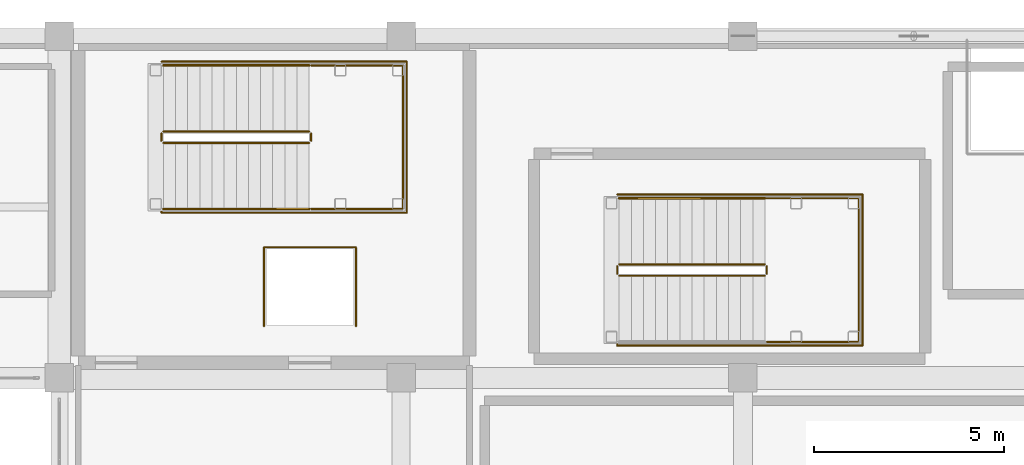
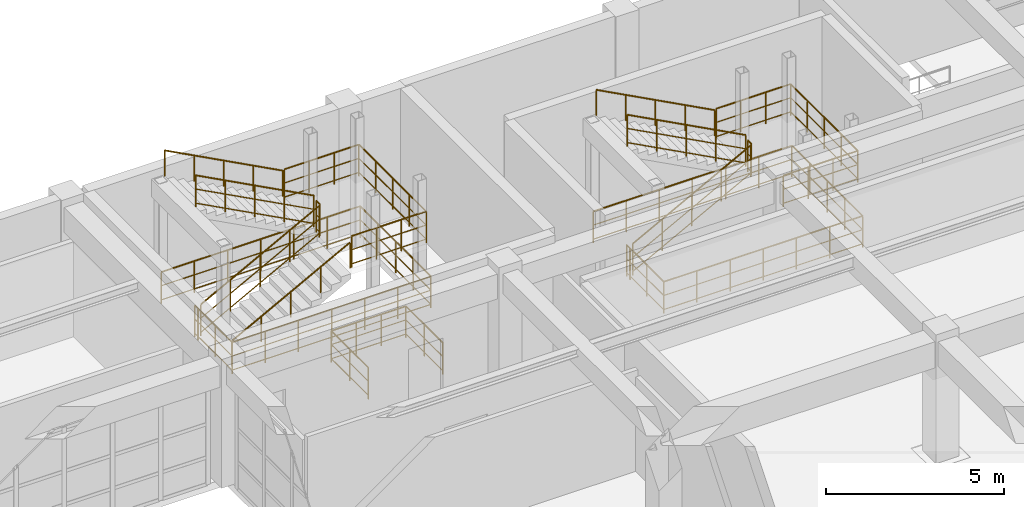
# One storey, part 131 of 133: 16 railings.
"""IFC4 building model written with IfcOpenShell, lengths in metres."""

from ifc_helpers import new_model, si_unit, direction, frame, origin, origin_2d, place, context, subcontext, project, spatial, circle, extrude, material, type_object, element, save


model = new_model("IFC4")

# Units and contexts
model_context = context("Model", 3, precision=1e-05, world=origin(), true_north=direction((0.0, 1.0)))
body_context = subcontext(model_context, "Body", "Model", "MODEL_VIEW")
ifc_project = project(units=[si_unit("LENGTHUNIT", "METRE"), si_unit("AREAUNIT", "SQUARE_METRE"), si_unit("VOLUMEUNIT", "CUBIC_METRE"), si_unit("PLANEANGLEUNIT", "RADIAN"), si_unit("MASSUNIT", "GRAM", prefix="KILO")], contexts=[model_context])

# Site, building, storey
site_placement = place(None, origin())
site = spatial("IfcSite", under=ifc_project, at=site_placement, CompositionType="ELEMENT")
building_placement = place(site_placement, origin())
building = spatial("IfcBuilding", under=site, at=building_placement, Name="Miravela Opera House", CompositionType="ELEMENT")
storey_placement = place(building_placement, frame((0.0, 0.0, 5.10009765625)))
storey = spatial("IfcBuildingStorey", under=building, at=storey_placement, Name="L01", CompositionType="ELEMENT", Elevation=5.10009765625)

# Railings
ifc_material_1 = material(Name="Brushed bronze continuous stair handrail")
railing_type_1 = type_object("IfcRailingType", Name="ARC-RAIL-HAND-900", PredefinedType="HANDRAIL", material=ifc_material_1)
railing_1_placement = place(storey_placement, frame((65.739990234375, 107.449951171875, 0.169921875)))
element("IfcRailing", 1, at=railing_1_placement, inside=storey, type_object=railing_type_1, Name="L01 ST-05 stair handrail 1", PredefinedType="HANDRAIL", context=body_context, shape_type="SweptSolid", body=[
    extrude(circle(Radius=0.02392578125, at=origin_2d()), frame((0.0, 0.0, 0.8759765625), z_axis=(0.883116446401, 0.0, 0.469153857596), x_axis=(0.0, 1.0, 0.0)), (0.0, 0.0, 1.0), 4.348388671875),
    extrude(circle(Radius=0.02099609375, at=origin_2d()), origin(), (0.0, 0.0, 1.0), 0.851806640625),
    extrude(circle(Radius=0.02099609375, at=origin_2d()), frame((0.9599609375, 0.0, 0.510009765625)), (0.0, 0.0, 1.0), 0.851806640625),
    extrude(circle(Radius=0.02099609375, at=origin_2d()), frame((1.919921875, 0.0, 1.02001953125)), (0.0, 0.0, 1.0), 0.851806640625),
    extrude(circle(Radius=0.02099609375, at=origin_2d()), frame((2.880126953125, 0.0, 1.530029296875)), (0.0, 0.0, 1.0), 0.851806640625),
    extrude(circle(Radius=0.02099609375, at=origin_2d()), frame((3.840087890625, 0.0, 2.0400390625)), (0.0, 0.0, 1.0), 0.851806640625),
])
for number, where, name in (
    (2, (69.580078125, 111.22998046875, 2.3798828125), "L01 ST-05 stair handrail 2"),
    (3, (81.580078125, 107.72998046875, 2.3798828125), "L01 ST-07 stair handrail 2"),
):
    element("IfcRailing", number, at=place(storey_placement, frame(where)), inside=storey, type_object=railing_type_1, Name=name, PredefinedType="HANDRAIL", context=body_context, shape_type="SweptSolid", body=[
        extrude(circle(Radius=0.02392578125, at=origin_2d()), frame((0.0, 0.0, 0.8759765625), z_axis=(-0.883116446401, 0.0, 0.469153857596), x_axis=(0.0, -1.0, 0.0)), (0.0, 0.0, 1.0), 4.348388671875),
        extrude(circle(Radius=0.02099609375, at=origin_2d()), origin(), (0.0, 0.0, 1.0), 0.851806640625),
        extrude(circle(Radius=0.02099609375, at=origin_2d()), frame((-0.9599609375, 0.0, 0.510009765625)), (0.0, 0.0, 1.0), 0.851806640625),
        extrude(circle(Radius=0.02099609375, at=origin_2d()), frame((-1.919921875, 0.0, 1.02001953125)), (0.0, 0.0, 1.0), 0.851806640625),
        extrude(circle(Radius=0.02099609375, at=origin_2d()), frame((-2.880126953125, 0.0, 1.530029296875)), (0.0, 0.0, 1.0), 0.851806640625),
        extrude(circle(Radius=0.02099609375, at=origin_2d()), frame((-3.840087890625, 0.0, 2.0400390625)), (0.0, 0.0, 1.0), 0.851806640625),
    ])
ifc_material_2 = material(Name="Painted wrought-iron stair guardrail")
railing_type_2 = type_object("IfcRailingType", Name="ARC-RAIL-STAIR-GUARD", PredefinedType="GUARDRAIL", material=ifc_material_2)
railing_2_placement = place(storey_placement, frame((65.739990234375, 109.18994140625, 0.169921875)))
element("IfcRailing", 4, at=railing_2_placement, inside=storey, type_object=railing_type_2, Name="L01 ST-05 stair guard 1", PredefinedType="GUARDRAIL", context=body_context, shape_type="SweptSolid", body=[
    extrude(circle(Radius=0.02392578125, at=origin_2d()), frame((0.0, 0.0, 1.076171875), z_axis=(0.883116446401, 0.0, 0.469153857596), x_axis=(0.0, 1.0, 0.0)), (0.0, 0.0, 1.0), 4.348388671875),
    extrude(circle(Radius=0.01611328125, at=origin_2d()), frame((0.0, 0.0, 0.60498046875), z_axis=(0.883116446401, 0.0, 0.469153857596), x_axis=(0.0, 1.0, 0.0)), (0.0, 0.0, 1.0), 4.348388671875),
    extrude(circle(Radius=0.01611328125, at=origin_2d()), frame((0.0, 0.0, 0.1201171875), z_axis=(0.883116446401, 0.0, 0.469153857596), x_axis=(0.0, 1.0, 0.0)), (0.0, 0.0, 1.0), 4.348388671875),
    extrude(circle(Radius=0.02099609375, at=origin_2d()), origin(), (0.0, 0.0, 1.0), 1.052001953125),
    extrude(circle(Radius=0.02099609375, at=origin_2d()), frame((0.9599609375, 0.0, 0.510009765625)), (0.0, 0.0, 1.0), 1.052001953125),
    extrude(circle(Radius=0.02099609375, at=origin_2d()), frame((1.919921875, 0.0, 1.02001953125)), (0.0, 0.0, 1.0), 1.052001953125),
    extrude(circle(Radius=0.02099609375, at=origin_2d()), frame((2.880126953125, 0.0, 1.530029296875)), (0.0, 0.0, 1.0), 1.052001953125),
    extrude(circle(Radius=0.02099609375, at=origin_2d()), frame((3.840087890625, 0.0, 2.0400390625)), (0.0, 0.0, 1.0), 1.052001953125),
])
railing_3_placement = place(storey_placement, frame((69.6298828125, 109.239990234375, 2.2099609375)))
element("IfcRailing", 5, at=railing_3_placement, inside=storey, type_object=railing_type_2, Name="L01 ST-05 stair guard 2", PredefinedType="GUARDRAIL", context=body_context, shape_type="SweptSolid", body=[
    extrude(circle(Radius=0.02392578125, at=origin_2d()), frame((0.0, 0.0, 1.076171875), z_axis=(0.0, 1.0, 0.0), x_axis=(-1.0, 0.0, 0.0)), (0.0, 0.0, 1.0), 0.199951171875),
    extrude(circle(Radius=0.01611328125, at=origin_2d()), frame((0.0, 0.0, 0.60498046875), z_axis=(0.0, 1.0, 0.0), x_axis=(-1.0, 0.0, 0.0)), (0.0, 0.0, 1.0), 0.199951171875),
    extrude(circle(Radius=0.01611328125, at=origin_2d()), frame((0.0, 0.0, 0.1201171875), z_axis=(0.0, 1.0, 0.0), x_axis=(-1.0, 0.0, 0.0)), (0.0, 0.0, 1.0), 0.199951171875),
    extrude(circle(Radius=0.02099609375, at=origin_2d()), origin(), (0.0, 0.0, 1.0), 1.052001953125),
    extrude(circle(Radius=0.02099609375, at=origin_2d()), frame((0.0, 0.199951171875, 0.0)), (0.0, 0.0, 1.0), 1.052001953125),
])
railing_4_placement = place(storey_placement, frame((69.580078125, 109.489990234375, 2.3798828125)))
element("IfcRailing", 6, at=railing_4_placement, inside=storey, type_object=railing_type_2, Name="L01 ST-05 stair guard 3", PredefinedType="GUARDRAIL", context=body_context, shape_type="SweptSolid", body=[
    extrude(circle(Radius=0.02392578125, at=origin_2d()), frame((0.0, 0.0, 1.076171875), z_axis=(-0.883116446401, 0.0, 0.469153857596), x_axis=(0.0, -1.0, 0.0)), (0.0, 0.0, 1.0), 4.348388671875),
    extrude(circle(Radius=0.01611328125, at=origin_2d()), frame((0.0, 0.0, 0.60498046875), z_axis=(-0.883116446401, 0.0, 0.469153857596), x_axis=(0.0, -1.0, 0.0)), (0.0, 0.0, 1.0), 4.348388671875),
    extrude(circle(Radius=0.01611328125, at=origin_2d()), frame((0.0, 0.0, 0.1201171875), z_axis=(-0.883116446401, 0.0, 0.469153857596), x_axis=(0.0, -1.0, 0.0)), (0.0, 0.0, 1.0), 4.348388671875),
    extrude(circle(Radius=0.02099609375, at=origin_2d()), origin(), (0.0, 0.0, 1.0), 1.052001953125),
    extrude(circle(Radius=0.02099609375, at=origin_2d()), frame((-0.9599609375, 0.0, 0.510009765625)), (0.0, 0.0, 1.0), 1.052001953125),
    extrude(circle(Radius=0.02099609375, at=origin_2d()), frame((-1.919921875, 0.0, 1.02001953125)), (0.0, 0.0, 1.0), 1.052001953125),
    extrude(circle(Radius=0.02099609375, at=origin_2d()), frame((-2.880126953125, 0.0, 1.530029296875)), (0.0, 0.0, 1.0), 1.052001953125),
    extrude(circle(Radius=0.02099609375, at=origin_2d()), frame((-3.840087890625, 0.0, 2.0400390625)), (0.0, 0.0, 1.0), 1.052001953125),
])
railing_5_placement = place(storey_placement, frame((65.68994140625, 109.239990234375, 0.0)))
element("IfcRailing", 7, at=railing_5_placement, inside=storey, type_object=railing_type_2, Name="L01 ST-05 stair guard 4", PredefinedType="GUARDRAIL", context=body_context, shape_type="SweptSolid", body=[
    extrude(circle(Radius=0.02392578125, at=origin_2d()), frame((0.0, 0.0, 1.076171875), z_axis=(0.0, 1.0, 0.0), x_axis=(-1.0, 0.0, 0.0)), (0.0, 0.0, 1.0), 0.199951171875),
    extrude(circle(Radius=0.01611328125, at=origin_2d()), frame((0.0, 0.0, 0.60498046875), z_axis=(0.0, 1.0, 0.0), x_axis=(-1.0, 0.0, 0.0)), (0.0, 0.0, 1.0), 0.199951171875),
    extrude(circle(Radius=0.01611328125, at=origin_2d()), frame((0.0, 0.0, 0.1201171875), z_axis=(0.0, 1.0, 0.0), x_axis=(-1.0, 0.0, 0.0)), (0.0, 0.0, 1.0), 0.199951171875),
    extrude(circle(Radius=0.02099609375, at=origin_2d()), origin(), (0.0, 0.0, 1.0), 1.052001953125),
    extrude(circle(Radius=0.02099609375, at=origin_2d()), frame((0.0, 0.199951171875, 0.0)), (0.0, 0.0, 1.0), 1.052001953125),
])
railing_6_placement = place(storey_placement, frame((69.6298828125, 107.449951171875, 2.2099609375)))
element("IfcRailing", 8, at=railing_6_placement, inside=storey, type_object=railing_type_2, Name="Stair ST-05 Half-Landing Perimeter Guard (L01) 0051", PredefinedType="GUARDRAIL", context=body_context, shape_type="SweptSolid", body=[
    extrude(circle(Radius=0.02392578125, at=origin_2d()), frame((0.0, 0.0, 1.076171875), z_axis=(1.0, 0.0, 0.0), x_axis=(0.0, 1.0, 0.0)), (0.0, 0.0, 1.0), 2.420166015625),
    extrude(circle(Radius=0.01611328125, at=origin_2d()), frame((0.0, 0.0, 0.60498046875), z_axis=(1.0, 0.0, 0.0), x_axis=(0.0, 1.0, 0.0)), (0.0, 0.0, 1.0), 2.420166015625),
    extrude(circle(Radius=0.01611328125, at=origin_2d()), frame((0.0, 0.0, 0.1201171875), z_axis=(1.0, 0.0, 0.0), x_axis=(0.0, 1.0, 0.0)), (0.0, 0.0, 1.0), 2.420166015625),
    extrude(circle(Radius=0.02392578125, at=origin_2d()), frame((2.420166015625, 0.0, 1.076171875), z_axis=(0.0, 1.0, 0.0), x_axis=(-1.0, 0.0, 0.0)), (0.0, 0.0, 1.0), 3.780029296875),
    extrude(circle(Radius=0.01611328125, at=origin_2d()), frame((2.420166015625, 0.0, 0.60498046875), z_axis=(0.0, 1.0, 0.0), x_axis=(-1.0, 0.0, 0.0)), (0.0, 0.0, 1.0), 3.780029296875),
    extrude(circle(Radius=0.01611328125, at=origin_2d()), frame((2.420166015625, 0.0, 0.1201171875), z_axis=(0.0, 1.0, 0.0), x_axis=(-1.0, 0.0, 0.0)), (0.0, 0.0, 1.0), 3.780029296875),
    extrude(circle(Radius=0.02392578125, at=origin_2d()), frame((2.420166015625, 3.780029296875, 1.076171875), z_axis=(-1.0, 0.0, 0.0), x_axis=(0.0, -1.0, 0.0)), (0.0, 0.0, 1.0), 2.420166015625),
    extrude(circle(Radius=0.01611328125, at=origin_2d()), frame((2.420166015625, 3.780029296875, 0.60498046875), z_axis=(-1.0, 0.0, 0.0), x_axis=(0.0, -1.0, 0.0)), (0.0, 0.0, 1.0), 2.420166015625),
    extrude(circle(Radius=0.01611328125, at=origin_2d()), frame((2.420166015625, 3.780029296875, 0.1201171875), z_axis=(-1.0, 0.0, 0.0), x_axis=(0.0, -1.0, 0.0)), (0.0, 0.0, 1.0), 2.420166015625),
    extrude(circle(Radius=0.02099609375, at=origin_2d()), origin(), (0.0, 0.0, 1.0), 1.052001953125),
    extrude(circle(Radius=0.02099609375, at=origin_2d()), frame((0.806640625, 0.0, 0.0)), (0.0, 0.0, 1.0), 1.052001953125),
    extrude(circle(Radius=0.02099609375, at=origin_2d()), frame((1.613525390625, 0.0, 0.0)), (0.0, 0.0, 1.0), 1.052001953125),
    extrude(circle(Radius=0.02099609375, at=origin_2d()), frame((2.420166015625, 0.0, 0.0)), (0.0, 0.0, 1.0), 1.052001953125),
    extrude(circle(Radius=0.02099609375, at=origin_2d()), frame((2.420166015625, 0.945068359375, 0.0)), (0.0, 0.0, 1.0), 1.052001953125),
    extrude(circle(Radius=0.02099609375, at=origin_2d()), frame((2.420166015625, 1.89013671875, 0.0)), (0.0, 0.0, 1.0), 1.052001953125),
    extrude(circle(Radius=0.02099609375, at=origin_2d()), frame((2.420166015625, 2.8349609375, 0.0)), (0.0, 0.0, 1.0), 1.052001953125),
    extrude(circle(Radius=0.02099609375, at=origin_2d()), frame((2.420166015625, 3.780029296875, 0.0)), (0.0, 0.0, 1.0), 1.052001953125),
    extrude(circle(Radius=0.02099609375, at=origin_2d()), frame((1.613525390625, 3.780029296875, 0.0)), (0.0, 0.0, 1.0), 1.052001953125),
    extrude(circle(Radius=0.02099609375, at=origin_2d()), frame((0.806640625, 3.780029296875, 0.0)), (0.0, 0.0, 1.0), 1.052001953125),
    extrude(circle(Radius=0.02099609375, at=origin_2d()), frame((0.0, 3.780029296875, 0.0)), (0.0, 0.0, 1.0), 1.052001953125),
])
railing_7_placement = place(storey_placement, frame((65.68994140625, 109.27001953125, 0.0)))
element("IfcRailing", 9, at=railing_7_placement, inside=storey, type_object=railing_type_2, Name="Stair ST-05 Well Slab Opening Guard (L01) 0055", PredefinedType="GUARDRAIL", context=body_context, shape_type="SweptSolid", body=[
    extrude(circle(Radius=0.02392578125, at=origin_2d()), frame((0.0, 0.0, 1.076171875), z_axis=(0.0, -1.0, 0.0), x_axis=(1.0, 0.0, 0.0)), (0.0, 0.0, 1.0), 1.919921875),
    extrude(circle(Radius=0.01611328125, at=origin_2d()), frame((0.0, 0.0, 0.60498046875), z_axis=(0.0, -1.0, 0.0), x_axis=(1.0, 0.0, 0.0)), (0.0, 0.0, 1.0), 1.919921875),
    extrude(circle(Radius=0.01611328125, at=origin_2d()), frame((0.0, 0.0, 0.1201171875), z_axis=(0.0, -1.0, 0.0), x_axis=(1.0, 0.0, 0.0)), (0.0, 0.0, 1.0), 1.919921875),
    extrude(circle(Radius=0.02392578125, at=origin_2d()), frame((0.0, -1.919921875, 1.076171875), z_axis=(1.0, 0.0, 0.0), x_axis=(0.0, 1.0, 0.0)), (0.0, 0.0, 1.0), 6.4599609375),
    extrude(circle(Radius=0.01611328125, at=origin_2d()), frame((0.0, -1.919921875, 0.60498046875), z_axis=(1.0, 0.0, 0.0), x_axis=(0.0, 1.0, 0.0)), (0.0, 0.0, 1.0), 6.4599609375),
    extrude(circle(Radius=0.01611328125, at=origin_2d()), frame((0.0, -1.919921875, 0.1201171875), z_axis=(1.0, 0.0, 0.0), x_axis=(0.0, 1.0, 0.0)), (0.0, 0.0, 1.0), 6.4599609375),
    extrude(circle(Radius=0.02392578125, at=origin_2d()), frame((6.4599609375, -1.919921875, 1.076171875), z_axis=(0.0, 1.0, 0.0), x_axis=(-1.0, 0.0, 0.0)), (0.0, 0.0, 1.0), 3.97998046875),
    extrude(circle(Radius=0.01611328125, at=origin_2d()), frame((6.4599609375, -1.919921875, 0.60498046875), z_axis=(0.0, 1.0, 0.0), x_axis=(-1.0, 0.0, 0.0)), (0.0, 0.0, 1.0), 3.97998046875),
    extrude(circle(Radius=0.01611328125, at=origin_2d()), frame((6.4599609375, -1.919921875, 0.1201171875), z_axis=(0.0, 1.0, 0.0), x_axis=(-1.0, 0.0, 0.0)), (0.0, 0.0, 1.0), 3.97998046875),
    extrude(circle(Radius=0.02392578125, at=origin_2d()), frame((6.4599609375, 2.06005859375, 1.076171875), z_axis=(-1.0, 0.0, 0.0), x_axis=(0.0, -1.0, 0.0)), (0.0, 0.0, 1.0), 6.4599609375),
    extrude(circle(Radius=0.01611328125, at=origin_2d()), frame((6.4599609375, 2.06005859375, 0.60498046875), z_axis=(-1.0, 0.0, 0.0), x_axis=(0.0, -1.0, 0.0)), (0.0, 0.0, 1.0), 6.4599609375),
    extrude(circle(Radius=0.01611328125, at=origin_2d()), frame((6.4599609375, 2.06005859375, 0.1201171875), z_axis=(-1.0, 0.0, 0.0), x_axis=(0.0, -1.0, 0.0)), (0.0, 0.0, 1.0), 6.4599609375),
    extrude(circle(Radius=0.02099609375, at=origin_2d()), origin(), (0.0, 0.0, 1.0), 1.052001953125),
    extrude(circle(Radius=0.02099609375, at=origin_2d()), frame((0.0, -0.9599609375, 0.0)), (0.0, 0.0, 1.0), 1.052001953125),
    extrude(circle(Radius=0.02099609375, at=origin_2d()), frame((0.0, -1.919921875, 0.0)), (0.0, 0.0, 1.0), 1.052001953125),
    extrude(circle(Radius=0.02099609375, at=origin_2d()), frame((1.07666015625, -1.919921875, 0.0)), (0.0, 0.0, 1.0), 1.052001953125),
    extrude(circle(Radius=0.02099609375, at=origin_2d()), frame((2.1533203125, -1.919921875, 0.0)), (0.0, 0.0, 1.0), 1.052001953125),
    extrude(circle(Radius=0.02099609375, at=origin_2d()), frame((3.22998046875, -1.919921875, 0.0)), (0.0, 0.0, 1.0), 1.052001953125),
    extrude(circle(Radius=0.02099609375, at=origin_2d()), frame((4.306640625, -1.919921875, 0.0)), (0.0, 0.0, 1.0), 1.052001953125),
    extrude(circle(Radius=0.02099609375, at=origin_2d()), frame((5.38330078125, -1.919921875, 0.0)), (0.0, 0.0, 1.0), 1.052001953125),
    extrude(circle(Radius=0.02099609375, at=origin_2d()), frame((6.4599609375, -1.919921875, 0.0)), (0.0, 0.0, 1.0), 1.052001953125),
    extrude(circle(Radius=0.02099609375, at=origin_2d()), frame((6.4599609375, -0.9248046875, 0.0)), (0.0, 0.0, 1.0), 1.052001953125),
    extrude(circle(Radius=0.02099609375, at=origin_2d()), frame((6.4599609375, 0.070068359375, 0.0)), (0.0, 0.0, 1.0), 1.052001953125),
    extrude(circle(Radius=0.02099609375, at=origin_2d()), frame((6.4599609375, 1.06494140625, 0.0)), (0.0, 0.0, 1.0), 1.052001953125),
    extrude(circle(Radius=0.02099609375, at=origin_2d()), frame((6.4599609375, 2.06005859375, 0.0)), (0.0, 0.0, 1.0), 1.052001953125),
    extrude(circle(Radius=0.02099609375, at=origin_2d()), frame((5.38330078125, 2.06005859375, 0.0)), (0.0, 0.0, 1.0), 1.052001953125),
    extrude(circle(Radius=0.02099609375, at=origin_2d()), frame((4.306640625, 2.06005859375, 0.0)), (0.0, 0.0, 1.0), 1.052001953125),
    extrude(circle(Radius=0.02099609375, at=origin_2d()), frame((3.22998046875, 2.06005859375, 0.0)), (0.0, 0.0, 1.0), 1.052001953125),
    extrude(circle(Radius=0.02099609375, at=origin_2d()), frame((2.1533203125, 2.06005859375, 0.0)), (0.0, 0.0, 1.0), 1.052001953125),
    extrude(circle(Radius=0.02099609375, at=origin_2d()), frame((1.07666015625, 2.06005859375, 0.0)), (0.0, 0.0, 1.0), 1.052001953125),
    extrude(circle(Radius=0.02099609375, at=origin_2d()), frame((0.0, 2.06005859375, 0.0)), (0.0, 0.0, 1.0), 1.052001953125),
])
railing_8_placement = place(storey_placement, frame((77.739990234375, 105.68994140625, 0.169921875)))
element("IfcRailing", 10, at=railing_8_placement, inside=storey, type_object=railing_type_2, Name="L01 ST-07 stair guard 1", PredefinedType="GUARDRAIL", context=body_context, shape_type="SweptSolid", body=[
    extrude(circle(Radius=0.02392578125, at=origin_2d()), frame((0.0, 0.0, 1.076171875), z_axis=(0.883116446401, 0.0, 0.469153857596), x_axis=(0.0, 1.0, 0.0)), (0.0, 0.0, 1.0), 4.348388671875),
    extrude(circle(Radius=0.01611328125, at=origin_2d()), frame((0.0, 0.0, 0.60498046875), z_axis=(0.883116446401, 0.0, 0.469153857596), x_axis=(0.0, 1.0, 0.0)), (0.0, 0.0, 1.0), 4.348388671875),
    extrude(circle(Radius=0.01611328125, at=origin_2d()), frame((0.0, 0.0, 0.1201171875), z_axis=(0.883116446401, 0.0, 0.469153857596), x_axis=(0.0, 1.0, 0.0)), (0.0, 0.0, 1.0), 4.348388671875),
    extrude(circle(Radius=0.02099609375, at=origin_2d()), origin(), (0.0, 0.0, 1.0), 1.052001953125),
    extrude(circle(Radius=0.02099609375, at=origin_2d()), frame((0.9599609375, 0.0, 0.510009765625)), (0.0, 0.0, 1.0), 1.052001953125),
    extrude(circle(Radius=0.02099609375, at=origin_2d()), frame((1.919921875, 0.0, 1.02001953125)), (0.0, 0.0, 1.0), 1.052001953125),
    extrude(circle(Radius=0.02099609375, at=origin_2d()), frame((2.880126953125, 0.0, 1.530029296875)), (0.0, 0.0, 1.0), 1.052001953125),
    extrude(circle(Radius=0.02099609375, at=origin_2d()), frame((3.840087890625, 0.0, 2.0400390625)), (0.0, 0.0, 1.0), 1.052001953125),
])
railing_9_placement = place(storey_placement, frame((81.6298828125, 105.739990234375, 2.2099609375)))
element("IfcRailing", 11, at=railing_9_placement, inside=storey, type_object=railing_type_2, Name="L01 ST-07 stair guard 2", PredefinedType="GUARDRAIL", context=body_context, shape_type="SweptSolid", body=[
    extrude(circle(Radius=0.02392578125, at=origin_2d()), frame((0.0, 0.0, 1.076171875), z_axis=(0.0, 1.0, 0.0), x_axis=(-1.0, 0.0, 0.0)), (0.0, 0.0, 1.0), 0.199951171875),
    extrude(circle(Radius=0.01611328125, at=origin_2d()), frame((0.0, 0.0, 0.60498046875), z_axis=(0.0, 1.0, 0.0), x_axis=(-1.0, 0.0, 0.0)), (0.0, 0.0, 1.0), 0.199951171875),
    extrude(circle(Radius=0.01611328125, at=origin_2d()), frame((0.0, 0.0, 0.1201171875), z_axis=(0.0, 1.0, 0.0), x_axis=(-1.0, 0.0, 0.0)), (0.0, 0.0, 1.0), 0.199951171875),
    extrude(circle(Radius=0.02099609375, at=origin_2d()), origin(), (0.0, 0.0, 1.0), 1.052001953125),
    extrude(circle(Radius=0.02099609375, at=origin_2d()), frame((0.0, 0.199951171875, 0.0)), (0.0, 0.0, 1.0), 1.052001953125),
])
railing_10_placement = place(storey_placement, frame((81.580078125, 105.989990234375, 2.3798828125)))
element("IfcRailing", 12, at=railing_10_placement, inside=storey, type_object=railing_type_2, Name="L01 ST-07 stair guard 3", PredefinedType="GUARDRAIL", context=body_context, shape_type="SweptSolid", body=[
    extrude(circle(Radius=0.02392578125, at=origin_2d()), frame((0.0, 0.0, 1.076171875), z_axis=(-0.883116446401, 0.0, 0.469153857596), x_axis=(0.0, -1.0, 0.0)), (0.0, 0.0, 1.0), 4.348388671875),
    extrude(circle(Radius=0.01611328125, at=origin_2d()), frame((0.0, 0.0, 0.60498046875), z_axis=(-0.883116446401, 0.0, 0.469153857596), x_axis=(0.0, -1.0, 0.0)), (0.0, 0.0, 1.0), 4.348388671875),
    extrude(circle(Radius=0.01611328125, at=origin_2d()), frame((0.0, 0.0, 0.1201171875), z_axis=(-0.883116446401, 0.0, 0.469153857596), x_axis=(0.0, -1.0, 0.0)), (0.0, 0.0, 1.0), 4.348388671875),
    extrude(circle(Radius=0.02099609375, at=origin_2d()), origin(), (0.0, 0.0, 1.0), 1.052001953125),
    extrude(circle(Radius=0.02099609375, at=origin_2d()), frame((-0.9599609375, 0.0, 0.510009765625)), (0.0, 0.0, 1.0), 1.052001953125),
    extrude(circle(Radius=0.02099609375, at=origin_2d()), frame((-1.919921875, 0.0, 1.02001953125)), (0.0, 0.0, 1.0), 1.052001953125),
    extrude(circle(Radius=0.02099609375, at=origin_2d()), frame((-2.880126953125, 0.0, 1.530029296875)), (0.0, 0.0, 1.0), 1.052001953125),
    extrude(circle(Radius=0.02099609375, at=origin_2d()), frame((-3.840087890625, 0.0, 2.0400390625)), (0.0, 0.0, 1.0), 1.052001953125),
])
railing_11_placement = place(storey_placement, frame((77.68994140625, 105.739990234375, 0.0)))
element("IfcRailing", 13, at=railing_11_placement, inside=storey, type_object=railing_type_2, Name="L01 ST-07 stair guard 4", PredefinedType="GUARDRAIL", context=body_context, shape_type="SweptSolid", body=[
    extrude(circle(Radius=0.02392578125, at=origin_2d()), frame((0.0, 0.0, 1.076171875), z_axis=(0.0, 1.0, 0.0), x_axis=(-1.0, 0.0, 0.0)), (0.0, 0.0, 1.0), 0.199951171875),
    extrude(circle(Radius=0.01611328125, at=origin_2d()), frame((0.0, 0.0, 0.60498046875), z_axis=(0.0, 1.0, 0.0), x_axis=(-1.0, 0.0, 0.0)), (0.0, 0.0, 1.0), 0.199951171875),
    extrude(circle(Radius=0.01611328125, at=origin_2d()), frame((0.0, 0.0, 0.1201171875), z_axis=(0.0, 1.0, 0.0), x_axis=(-1.0, 0.0, 0.0)), (0.0, 0.0, 1.0), 0.199951171875),
    extrude(circle(Radius=0.02099609375, at=origin_2d()), origin(), (0.0, 0.0, 1.0), 1.052001953125),
    extrude(circle(Radius=0.02099609375, at=origin_2d()), frame((0.0, 0.199951171875, 0.0)), (0.0, 0.0, 1.0), 1.052001953125),
])
railing_12_placement = place(storey_placement, frame((81.6298828125, 103.949951171875, 2.2099609375)))
element("IfcRailing", 14, at=railing_12_placement, inside=storey, type_object=railing_type_2, Name="Stair ST-07 Half-Landing Perimeter Guard (L01) 0069", PredefinedType="GUARDRAIL", context=body_context, shape_type="SweptSolid", body=[
    extrude(circle(Radius=0.02392578125, at=origin_2d()), frame((0.0, 0.0, 1.076171875), z_axis=(1.0, 0.0, 0.0), x_axis=(0.0, 1.0, 0.0)), (0.0, 0.0, 1.0), 2.420166015625),
    extrude(circle(Radius=0.01611328125, at=origin_2d()), frame((0.0, 0.0, 0.60498046875), z_axis=(1.0, 0.0, 0.0), x_axis=(0.0, 1.0, 0.0)), (0.0, 0.0, 1.0), 2.420166015625),
    extrude(circle(Radius=0.01611328125, at=origin_2d()), frame((0.0, 0.0, 0.1201171875), z_axis=(1.0, 0.0, 0.0), x_axis=(0.0, 1.0, 0.0)), (0.0, 0.0, 1.0), 2.420166015625),
    extrude(circle(Radius=0.02392578125, at=origin_2d()), frame((2.420166015625, 0.0, 1.076171875), z_axis=(0.0, 1.0, 0.0), x_axis=(-1.0, 0.0, 0.0)), (0.0, 0.0, 1.0), 3.780029296875),
    extrude(circle(Radius=0.01611328125, at=origin_2d()), frame((2.420166015625, 0.0, 0.60498046875), z_axis=(0.0, 1.0, 0.0), x_axis=(-1.0, 0.0, 0.0)), (0.0, 0.0, 1.0), 3.780029296875),
    extrude(circle(Radius=0.01611328125, at=origin_2d()), frame((2.420166015625, 0.0, 0.1201171875), z_axis=(0.0, 1.0, 0.0), x_axis=(-1.0, 0.0, 0.0)), (0.0, 0.0, 1.0), 3.780029296875),
    extrude(circle(Radius=0.02392578125, at=origin_2d()), frame((2.420166015625, 3.780029296875, 1.076171875), z_axis=(-1.0, 0.0, 0.0), x_axis=(0.0, -1.0, 0.0)), (0.0, 0.0, 1.0), 2.420166015625),
    extrude(circle(Radius=0.01611328125, at=origin_2d()), frame((2.420166015625, 3.780029296875, 0.60498046875), z_axis=(-1.0, 0.0, 0.0), x_axis=(0.0, -1.0, 0.0)), (0.0, 0.0, 1.0), 2.420166015625),
    extrude(circle(Radius=0.01611328125, at=origin_2d()), frame((2.420166015625, 3.780029296875, 0.1201171875), z_axis=(-1.0, 0.0, 0.0), x_axis=(0.0, -1.0, 0.0)), (0.0, 0.0, 1.0), 2.420166015625),
    extrude(circle(Radius=0.02099609375, at=origin_2d()), origin(), (0.0, 0.0, 1.0), 1.052001953125),
    extrude(circle(Radius=0.02099609375, at=origin_2d()), frame((0.806640625, 0.0, 0.0)), (0.0, 0.0, 1.0), 1.052001953125),
    extrude(circle(Radius=0.02099609375, at=origin_2d()), frame((1.613525390625, 0.0, 0.0)), (0.0, 0.0, 1.0), 1.052001953125),
    extrude(circle(Radius=0.02099609375, at=origin_2d()), frame((2.420166015625, 0.0, 0.0)), (0.0, 0.0, 1.0), 1.052001953125),
    extrude(circle(Radius=0.02099609375, at=origin_2d()), frame((2.420166015625, 0.945068359375, 0.0)), (0.0, 0.0, 1.0), 1.052001953125),
    extrude(circle(Radius=0.02099609375, at=origin_2d()), frame((2.420166015625, 1.89013671875, 0.0)), (0.0, 0.0, 1.0), 1.052001953125),
    extrude(circle(Radius=0.02099609375, at=origin_2d()), frame((2.420166015625, 2.8349609375, 0.0)), (0.0, 0.0, 1.0), 1.052001953125),
    extrude(circle(Radius=0.02099609375, at=origin_2d()), frame((2.420166015625, 3.780029296875, 0.0)), (0.0, 0.0, 1.0), 1.052001953125),
    extrude(circle(Radius=0.02099609375, at=origin_2d()), frame((1.613525390625, 3.780029296875, 0.0)), (0.0, 0.0, 1.0), 1.052001953125),
    extrude(circle(Radius=0.02099609375, at=origin_2d()), frame((0.806640625, 3.780029296875, 0.0)), (0.0, 0.0, 1.0), 1.052001953125),
    extrude(circle(Radius=0.02099609375, at=origin_2d()), frame((0.0, 3.780029296875, 0.0)), (0.0, 0.0, 1.0), 1.052001953125),
])
railing_13_placement = place(storey_placement, frame((77.68994140625, 105.77001953125, 0.0)))
element("IfcRailing", 15, at=railing_13_placement, inside=storey, type_object=railing_type_2, Name="Stair ST-07 Well Slab Opening Guard (L01) 0072", PredefinedType="GUARDRAIL", context=body_context, shape_type="SweptSolid", body=[
    extrude(circle(Radius=0.02392578125, at=origin_2d()), frame((0.0, 0.0, 1.076171875), z_axis=(0.0, -1.0, 0.0), x_axis=(1.0, 0.0, 0.0)), (0.0, 0.0, 1.0), 1.919921875),
    extrude(circle(Radius=0.01611328125, at=origin_2d()), frame((0.0, 0.0, 0.60498046875), z_axis=(0.0, -1.0, 0.0), x_axis=(1.0, 0.0, 0.0)), (0.0, 0.0, 1.0), 1.919921875),
    extrude(circle(Radius=0.01611328125, at=origin_2d()), frame((0.0, 0.0, 0.1201171875), z_axis=(0.0, -1.0, 0.0), x_axis=(1.0, 0.0, 0.0)), (0.0, 0.0, 1.0), 1.919921875),
    extrude(circle(Radius=0.02392578125, at=origin_2d()), frame((0.0, -1.919921875, 1.076171875), z_axis=(1.0, 0.0, 0.0), x_axis=(0.0, 1.0, 0.0)), (0.0, 0.0, 1.0), 6.4599609375),
    extrude(circle(Radius=0.01611328125, at=origin_2d()), frame((0.0, -1.919921875, 0.60498046875), z_axis=(1.0, 0.0, 0.0), x_axis=(0.0, 1.0, 0.0)), (0.0, 0.0, 1.0), 6.4599609375),
    extrude(circle(Radius=0.01611328125, at=origin_2d()), frame((0.0, -1.919921875, 0.1201171875), z_axis=(1.0, 0.0, 0.0), x_axis=(0.0, 1.0, 0.0)), (0.0, 0.0, 1.0), 6.4599609375),
    extrude(circle(Radius=0.02392578125, at=origin_2d()), frame((6.4599609375, -1.919921875, 1.076171875), z_axis=(0.0, 1.0, 0.0), x_axis=(-1.0, 0.0, 0.0)), (0.0, 0.0, 1.0), 3.97998046875),
    extrude(circle(Radius=0.01611328125, at=origin_2d()), frame((6.4599609375, -1.919921875, 0.60498046875), z_axis=(0.0, 1.0, 0.0), x_axis=(-1.0, 0.0, 0.0)), (0.0, 0.0, 1.0), 3.97998046875),
    extrude(circle(Radius=0.01611328125, at=origin_2d()), frame((6.4599609375, -1.919921875, 0.1201171875), z_axis=(0.0, 1.0, 0.0), x_axis=(-1.0, 0.0, 0.0)), (0.0, 0.0, 1.0), 3.97998046875),
    extrude(circle(Radius=0.02392578125, at=origin_2d()), frame((6.4599609375, 2.06005859375, 1.076171875), z_axis=(-1.0, 0.0, 0.0), x_axis=(0.0, -1.0, 0.0)), (0.0, 0.0, 1.0), 6.4599609375),
    extrude(circle(Radius=0.01611328125, at=origin_2d()), frame((6.4599609375, 2.06005859375, 0.60498046875), z_axis=(-1.0, 0.0, 0.0), x_axis=(0.0, -1.0, 0.0)), (0.0, 0.0, 1.0), 6.4599609375),
    extrude(circle(Radius=0.01611328125, at=origin_2d()), frame((6.4599609375, 2.06005859375, 0.1201171875), z_axis=(-1.0, 0.0, 0.0), x_axis=(0.0, -1.0, 0.0)), (0.0, 0.0, 1.0), 6.4599609375),
    extrude(circle(Radius=0.02099609375, at=origin_2d()), origin(), (0.0, 0.0, 1.0), 1.052001953125),
    extrude(circle(Radius=0.02099609375, at=origin_2d()), frame((0.0, -0.9599609375, 0.0)), (0.0, 0.0, 1.0), 1.052001953125),
    extrude(circle(Radius=0.02099609375, at=origin_2d()), frame((0.0, -1.919921875, 0.0)), (0.0, 0.0, 1.0), 1.052001953125),
    extrude(circle(Radius=0.02099609375, at=origin_2d()), frame((1.07666015625, -1.919921875, 0.0)), (0.0, 0.0, 1.0), 1.052001953125),
    extrude(circle(Radius=0.02099609375, at=origin_2d()), frame((2.1533203125, -1.919921875, 0.0)), (0.0, 0.0, 1.0), 1.052001953125),
    extrude(circle(Radius=0.02099609375, at=origin_2d()), frame((3.22998046875, -1.919921875, 0.0)), (0.0, 0.0, 1.0), 1.052001953125),
    extrude(circle(Radius=0.02099609375, at=origin_2d()), frame((4.306640625, -1.919921875, 0.0)), (0.0, 0.0, 1.0), 1.052001953125),
    extrude(circle(Radius=0.02099609375, at=origin_2d()), frame((5.38330078125, -1.919921875, 0.0)), (0.0, 0.0, 1.0), 1.052001953125),
    extrude(circle(Radius=0.02099609375, at=origin_2d()), frame((6.4599609375, -1.919921875, 0.0)), (0.0, 0.0, 1.0), 1.052001953125),
    extrude(circle(Radius=0.02099609375, at=origin_2d()), frame((6.4599609375, -0.9248046875, 0.0)), (0.0, 0.0, 1.0), 1.052001953125),
    extrude(circle(Radius=0.02099609375, at=origin_2d()), frame((6.4599609375, 0.070068359375, 0.0)), (0.0, 0.0, 1.0), 1.052001953125),
    extrude(circle(Radius=0.02099609375, at=origin_2d()), frame((6.4599609375, 1.06494140625, 0.0)), (0.0, 0.0, 1.0), 1.052001953125),
    extrude(circle(Radius=0.02099609375, at=origin_2d()), frame((6.4599609375, 2.06005859375, 0.0)), (0.0, 0.0, 1.0), 1.052001953125),
    extrude(circle(Radius=0.02099609375, at=origin_2d()), frame((5.38330078125, 2.06005859375, 0.0)), (0.0, 0.0, 1.0), 1.052001953125),
    extrude(circle(Radius=0.02099609375, at=origin_2d()), frame((4.306640625, 2.06005859375, 0.0)), (0.0, 0.0, 1.0), 1.052001953125),
    extrude(circle(Radius=0.02099609375, at=origin_2d()), frame((3.22998046875, 2.06005859375, 0.0)), (0.0, 0.0, 1.0), 1.052001953125),
    extrude(circle(Radius=0.02099609375, at=origin_2d()), frame((2.1533203125, 2.06005859375, 0.0)), (0.0, 0.0, 1.0), 1.052001953125),
    extrude(circle(Radius=0.02099609375, at=origin_2d()), frame((1.07666015625, 2.06005859375, 0.0)), (0.0, 0.0, 1.0), 1.052001953125),
    extrude(circle(Radius=0.02099609375, at=origin_2d()), frame((0.0, 2.06005859375, 0.0)), (0.0, 0.0, 1.0), 1.052001953125),
])
railing_14_placement = place(storey_placement, frame((68.389892578125, 104.360107421875, 0.0)))
element("IfcRailing", 16, at=railing_14_placement, inside=storey, type_object=railing_type_2, Name="Lift PL-04 Hoistway Slab Opening Guard (L01) 0135", PredefinedType="GUARDRAIL", context=body_context, shape_type="SweptSolid", body=[
    extrude(circle(Radius=0.02392578125, at=origin_2d()), frame((0.0, 0.0, 1.076171875), z_axis=(0.0, 1.0, 0.0), x_axis=(-1.0, 0.0, 0.0)), (0.0, 0.0, 1.0), 2.079833984375),
    extrude(circle(Radius=0.01611328125, at=origin_2d()), frame((0.0, 0.0, 0.60498046875), z_axis=(0.0, 1.0, 0.0), x_axis=(-1.0, 0.0, 0.0)), (0.0, 0.0, 1.0), 2.079833984375),
    extrude(circle(Radius=0.01611328125, at=origin_2d()), frame((0.0, 0.0, 0.1201171875), z_axis=(0.0, 1.0, 0.0), x_axis=(-1.0, 0.0, 0.0)), (0.0, 0.0, 1.0), 2.079833984375),
    extrude(circle(Radius=0.02392578125, at=origin_2d()), frame((0.0, 2.079833984375, 1.076171875), z_axis=(1.0, 0.0, 0.0), x_axis=(0.0, 1.0, 0.0)), (0.0, 0.0, 1.0), 2.420166015625),
    extrude(circle(Radius=0.01611328125, at=origin_2d()), frame((0.0, 2.079833984375, 0.60498046875), z_axis=(1.0, 0.0, 0.0), x_axis=(0.0, 1.0, 0.0)), (0.0, 0.0, 1.0), 2.420166015625),
    extrude(circle(Radius=0.01611328125, at=origin_2d()), frame((0.0, 2.079833984375, 0.1201171875), z_axis=(1.0, 0.0, 0.0), x_axis=(0.0, 1.0, 0.0)), (0.0, 0.0, 1.0), 2.420166015625),
    extrude(circle(Radius=0.02392578125, at=origin_2d()), frame((2.420166015625, 2.079833984375, 1.076171875), z_axis=(0.0, -1.0, 0.0), x_axis=(1.0, 0.0, 0.0)), (0.0, 0.0, 1.0), 2.079833984375),
    extrude(circle(Radius=0.01611328125, at=origin_2d()), frame((2.420166015625, 2.079833984375, 0.60498046875), z_axis=(0.0, -1.0, 0.0), x_axis=(1.0, 0.0, 0.0)), (0.0, 0.0, 1.0), 2.079833984375),
    extrude(circle(Radius=0.01611328125, at=origin_2d()), frame((2.420166015625, 2.079833984375, 0.1201171875), z_axis=(0.0, -1.0, 0.0), x_axis=(1.0, 0.0, 0.0)), (0.0, 0.0, 1.0), 2.079833984375),
    extrude(circle(Radius=0.02099609375, at=origin_2d()), origin(), (0.0, 0.0, 1.0), 1.052001953125),
    extrude(circle(Radius=0.02099609375, at=origin_2d()), frame((0.0, 1.0400390625, 0.0)), (0.0, 0.0, 1.0), 1.052001953125),
    extrude(circle(Radius=0.02099609375, at=origin_2d()), frame((0.0, 2.079833984375, 0.0)), (0.0, 0.0, 1.0), 1.052001953125),
    extrude(circle(Radius=0.02099609375, at=origin_2d()), frame((0.806640625, 2.079833984375, 0.0)), (0.0, 0.0, 1.0), 1.052001953125),
    extrude(circle(Radius=0.02099609375, at=origin_2d()), frame((1.613525390625, 2.079833984375, 0.0)), (0.0, 0.0, 1.0), 1.052001953125),
    extrude(circle(Radius=0.02099609375, at=origin_2d()), frame((2.420166015625, 2.079833984375, 0.0)), (0.0, 0.0, 1.0), 1.052001953125),
    extrude(circle(Radius=0.02099609375, at=origin_2d()), frame((2.420166015625, 1.0400390625, 0.0)), (0.0, 0.0, 1.0), 1.052001953125),
    extrude(circle(Radius=0.02099609375, at=origin_2d()), frame((2.420166015625, 0.0, 0.0)), (0.0, 0.0, 1.0), 1.052001953125),
])

save(model, "model.ifc")
